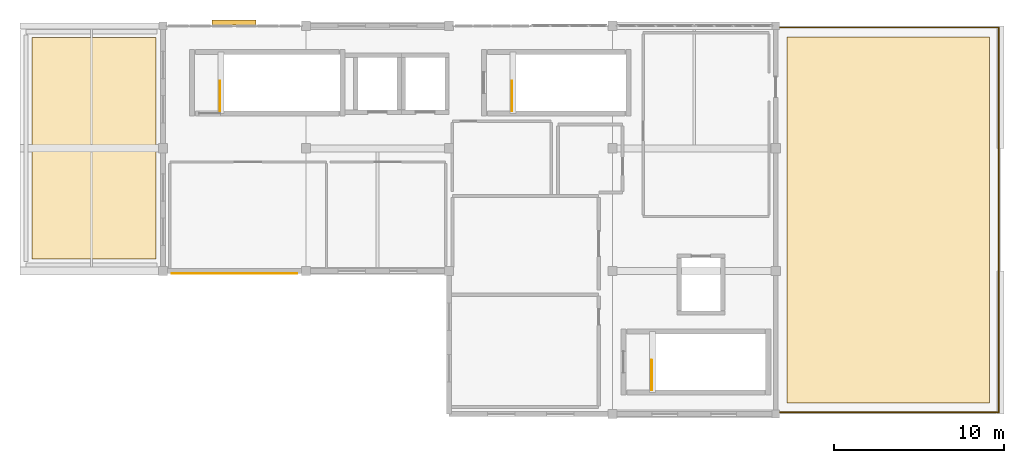
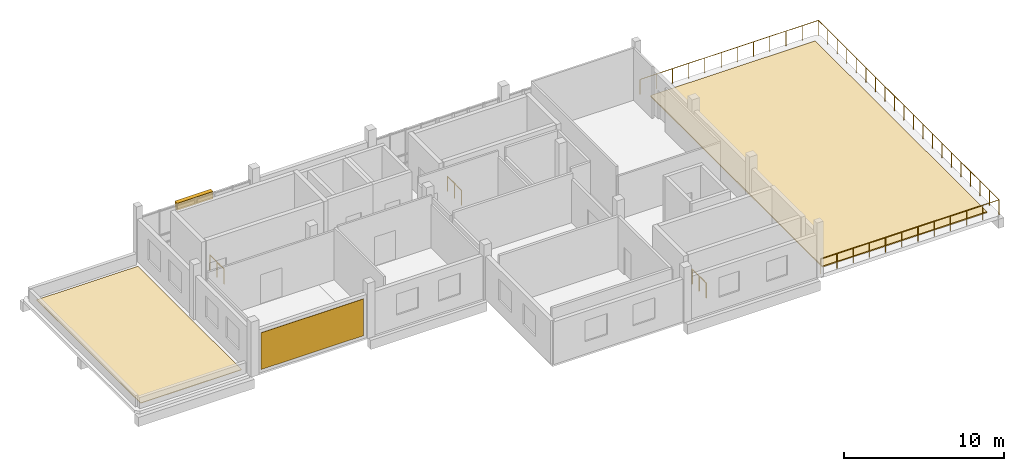
# One storey, part 11 of 11: 4 railings, 3 coverings, 1 shading device.
"""IFC4 building model written with IfcOpenShell, lengths in metres."""

from ifc_helpers import new_model, si_unit, direction, frame, origin, origin_2d, place, context, subcontext, project, spatial, polyline, rectangle, circle, outline, extrude, material, layer, layer_set, type_object, element, save


model = new_model("IFC4")

# Units and contexts
model_context = context("Model", 3, precision=1e-05, world=origin(), true_north=direction((0.0, 1.0)))
body_context = subcontext(model_context, "Body", "Model", "MODEL_VIEW")
ifc_project = project(units=[si_unit("LENGTHUNIT", "METRE"), si_unit("AREAUNIT", "SQUARE_METRE"), si_unit("VOLUMEUNIT", "CUBIC_METRE"), si_unit("PLANEANGLEUNIT", "RADIAN"), si_unit("MASSUNIT", "GRAM", prefix="KILO")], contexts=[model_context])

# Site, building, storey
site_placement = place(None, origin())
site = spatial("IfcSite", under=ifc_project, at=site_placement, CompositionType="ELEMENT")
building_placement = place(site_placement, origin())
building = spatial("IfcBuilding", under=site, at=building_placement, Name="Kisaragi Civic Commons", CompositionType="ELEMENT")
storey_placement = place(building_placement, frame((0.0, 0.0, 17.39990234375)))
storey = spatial("IfcBuildingStorey", under=building, at=storey_placement, Name="L04", CompositionType="ELEMENT", Elevation=17.39990234375)

# Covering
ifc_material_1 = material(Name="Extruded Tokoname terracotta rainscreen tile", Category="masonry")
ifc_layer_1 = layer(ifc_material_1, 0.031982421875, Name="Extruded Tokoname terracotta rainscreen tile", Category="masonry")
ifc_layer_set_1 = layer_set([ifc_layer_1], Name="Extruded Tokoname terracotta rainscreen tile")
covering_type_1 = type_object("IfcCoveringType", Name="CLD-02", PredefinedType="CLADDING", material=ifc_layer_set_1)
covering_1_placement = place(storey_placement, frame((101.39990234375, 104.2470703125, 0.25), z_axis=(0.0, 0.0, 1.0), x_axis=(-1.0, 0.0, 0.0)))
element("IfcCovering", 1, at=covering_1_placement, inside=storey, type_object=covering_type_1, Name="V4 L04 terracotta facade cladding 10", PredefinedType="CLADDING", context=body_context, shape_type="SweptSolid", body=[
    extrude(rectangle(XDim=7.39990234375, YDim=0.031982421875, at=origin_2d()), origin(), (0.0, 0.0, 1.0), 2.804931640625),
])

# Railings
ifc_material_2 = material(Name="Hot-dip galvanized and fluoropolymer-coated steel", Category="steel")
railing_type_1 = type_object("IfcRailingType", Name="GRD-E1", PredefinedType="GUARDRAIL", material=ifc_material_2)
railing_placement = place(storey_placement, frame((133.419921875, 118.699951171875, 0.0)))
element("IfcRailing", 2, at=railing_placement, inside=storey, type_object=railing_type_1, Name="V4 L04 terrace guardrail 14", PredefinedType="GUARDRAIL", context=body_context, shape_type="SweptSolid", body=[
    extrude(circle(Radius=0.02392578125, at=origin_2d()), frame((0.0, 0.0, 1.1259765625), z_axis=(1.0, 0.0, 0.0), x_axis=(0.0, 1.0, 0.0)), (0.0, 0.0, 1.0), 12.880126953125),
    extrude(circle(Radius=0.02392578125, at=origin_2d()), frame((12.880126953125, 0.0, 1.1259765625), z_axis=(0.0, -1.0, 0.0), x_axis=(1.0, 0.0, 0.0)), (0.0, 0.0, 1.0), 22.599853515625),
    extrude(circle(Radius=0.02392578125, at=origin_2d()), frame((12.880126953125, -22.599853515625, 1.1259765625), z_axis=(-1.0, 0.0, 0.0), x_axis=(0.0, -1.0, 0.0)), (0.0, 0.0, 1.0), 12.880126953125),
    extrude(circle(Radius=0.02099609375, at=origin_2d()), origin(), (0.0, 0.0, 1.0), 1.101806640625),
    extrude(circle(Radius=0.02099609375, at=origin_2d()), frame((1.1708984375, 0.0, 0.0)), (0.0, 0.0, 1.0), 1.101806640625),
    extrude(circle(Radius=0.02099609375, at=origin_2d()), frame((2.341796875, 0.0, 0.0)), (0.0, 0.0, 1.0), 1.101806640625),
    extrude(circle(Radius=0.02099609375, at=origin_2d()), frame((3.5126953125, 0.0, 0.0)), (0.0, 0.0, 1.0), 1.101806640625),
    extrude(circle(Radius=0.02099609375, at=origin_2d()), frame((4.68359375, 0.0, 0.0)), (0.0, 0.0, 1.0), 1.101806640625),
    extrude(circle(Radius=0.02099609375, at=origin_2d()), frame((5.8544921875, 0.0, 0.0)), (0.0, 0.0, 1.0), 1.101806640625),
    extrude(circle(Radius=0.02099609375, at=origin_2d()), frame((7.025634765625, 0.0, 0.0)), (0.0, 0.0, 1.0), 1.101806640625),
    extrude(circle(Radius=0.02099609375, at=origin_2d()), frame((8.196533203125, 0.0, 0.0)), (0.0, 0.0, 1.0), 1.101806640625),
    extrude(circle(Radius=0.02099609375, at=origin_2d()), frame((9.367431640625, 0.0, 0.0)), (0.0, 0.0, 1.0), 1.101806640625),
    extrude(circle(Radius=0.02099609375, at=origin_2d()), frame((10.538330078125, 0.0, 0.0)), (0.0, 0.0, 1.0), 1.101806640625),
    extrude(circle(Radius=0.02099609375, at=origin_2d()), frame((11.709228515625, 0.0, 0.0)), (0.0, 0.0, 1.0), 1.101806640625),
    extrude(circle(Radius=0.02099609375, at=origin_2d()), frame((12.880126953125, 0.0, 0.0)), (0.0, 0.0, 1.0), 1.101806640625),
    extrude(circle(Radius=0.02099609375, at=origin_2d()), frame((12.880126953125, -1.189453125, 0.0)), (0.0, 0.0, 1.0), 1.101806640625),
    extrude(circle(Radius=0.02099609375, at=origin_2d()), frame((12.880126953125, -2.37890625, 0.0)), (0.0, 0.0, 1.0), 1.101806640625),
    extrude(circle(Radius=0.02099609375, at=origin_2d()), frame((12.880126953125, -3.568359375, 0.0)), (0.0, 0.0, 1.0), 1.101806640625),
    extrude(circle(Radius=0.02099609375, at=origin_2d()), frame((12.880126953125, -4.7578125, 0.0)), (0.0, 0.0, 1.0), 1.101806640625),
    extrude(circle(Radius=0.02099609375, at=origin_2d()), frame((12.880126953125, -5.947265625, 0.0)), (0.0, 0.0, 1.0), 1.101806640625),
    extrude(circle(Radius=0.02099609375, at=origin_2d()), frame((12.880126953125, -7.13671875, 0.0)), (0.0, 0.0, 1.0), 1.101806640625),
    extrude(circle(Radius=0.02099609375, at=origin_2d()), frame((12.880126953125, -8.326171875, 0.0)), (0.0, 0.0, 1.0), 1.101806640625),
    extrude(circle(Radius=0.02099609375, at=origin_2d()), frame((12.880126953125, -9.515625, 0.0)), (0.0, 0.0, 1.0), 1.101806640625),
    extrude(circle(Radius=0.02099609375, at=origin_2d()), frame((12.880126953125, -10.705078125, 0.0)), (0.0, 0.0, 1.0), 1.101806640625),
    extrude(circle(Radius=0.02099609375, at=origin_2d()), frame((12.880126953125, -11.894775390625, 0.0)), (0.0, 0.0, 1.0), 1.101806640625),
    extrude(circle(Radius=0.02099609375, at=origin_2d()), frame((12.880126953125, -13.084228515625, 0.0)), (0.0, 0.0, 1.0), 1.101806640625),
    extrude(circle(Radius=0.02099609375, at=origin_2d()), frame((12.880126953125, -14.273681640625, 0.0)), (0.0, 0.0, 1.0), 1.101806640625),
    extrude(circle(Radius=0.02099609375, at=origin_2d()), frame((12.880126953125, -15.463134765625, 0.0)), (0.0, 0.0, 1.0), 1.101806640625),
    extrude(circle(Radius=0.02099609375, at=origin_2d()), frame((12.880126953125, -16.652587890625, 0.0)), (0.0, 0.0, 1.0), 1.101806640625),
    extrude(circle(Radius=0.02099609375, at=origin_2d()), frame((12.880126953125, -17.842041015625, 0.0)), (0.0, 0.0, 1.0), 1.101806640625),
    extrude(circle(Radius=0.02099609375, at=origin_2d()), frame((12.880126953125, -19.031494140625, 0.0)), (0.0, 0.0, 1.0), 1.101806640625),
    extrude(circle(Radius=0.02099609375, at=origin_2d()), frame((12.880126953125, -20.220947265625, 0.0)), (0.0, 0.0, 1.0), 1.101806640625),
    extrude(circle(Radius=0.02099609375, at=origin_2d()), frame((12.880126953125, -21.410400390625, 0.0)), (0.0, 0.0, 1.0), 1.101806640625),
    extrude(circle(Radius=0.02099609375, at=origin_2d()), frame((12.880126953125, -22.599853515625, 0.0)), (0.0, 0.0, 1.0), 1.101806640625),
    extrude(circle(Radius=0.02099609375, at=origin_2d()), frame((11.709228515625, -22.599853515625, 0.0)), (0.0, 0.0, 1.0), 1.101806640625),
    extrude(circle(Radius=0.02099609375, at=origin_2d()), frame((10.538330078125, -22.599853515625, 0.0)), (0.0, 0.0, 1.0), 1.101806640625),
    extrude(circle(Radius=0.02099609375, at=origin_2d()), frame((9.367431640625, -22.599853515625, 0.0)), (0.0, 0.0, 1.0), 1.101806640625),
    extrude(circle(Radius=0.02099609375, at=origin_2d()), frame((8.196533203125, -22.599853515625, 0.0)), (0.0, 0.0, 1.0), 1.101806640625),
    extrude(circle(Radius=0.02099609375, at=origin_2d()), frame((7.025634765625, -22.599853515625, 0.0)), (0.0, 0.0, 1.0), 1.101806640625),
    extrude(circle(Radius=0.02099609375, at=origin_2d()), frame((5.8544921875, -22.599853515625, 0.0)), (0.0, 0.0, 1.0), 1.101806640625),
    extrude(circle(Radius=0.02099609375, at=origin_2d()), frame((4.68359375, -22.599853515625, 0.0)), (0.0, 0.0, 1.0), 1.101806640625),
    extrude(circle(Radius=0.02099609375, at=origin_2d()), frame((3.5126953125, -22.599853515625, 0.0)), (0.0, 0.0, 1.0), 1.101806640625),
    extrude(circle(Radius=0.02099609375, at=origin_2d()), frame((2.341796875, -22.599853515625, 0.0)), (0.0, 0.0, 1.0), 1.101806640625),
    extrude(circle(Radius=0.02099609375, at=origin_2d()), frame((1.1708984375, -22.599853515625, 0.0)), (0.0, 0.0, 1.0), 1.101806640625),
    extrude(circle(Radius=0.02099609375, at=origin_2d()), frame((0.0, -22.599853515625, 0.0)), (0.0, 0.0, 1.0), 1.101806640625),
])
ifc_material_3 = material(Name="Powder-coated architectural steel and hinoki cap rail", Category="steel")
railing_type_2 = type_object("IfcRailingType", Name="GRD-S1", PredefinedType="GUARDRAIL", material=ifc_material_3)
for number, where, name in (
    (3, (100.550048828125, 113.800048828125, 0.0), "L04 ST-L1 top well guard 1"),
    (4, (117.699951171875, 113.800048828125, 0.0), "L04 ST-L2 top well guard 1"),
    (5, (125.89990234375, 97.39990234375, 0.0), "L04 ST-L3 top well guard 1"),
):
    element("IfcRailing", number, at=place(storey_placement, frame(where)), inside=storey, type_object=railing_type_2, Name=name, PredefinedType="GUARDRAIL", context=body_context, shape_type="SweptSolid", body=[
        extrude(circle(Radius=0.02392578125, at=origin_2d()), frame((0.0, 0.0, 1.1259765625), z_axis=(0.0, 1.0, 0.0), x_axis=(-1.0, 0.0, 0.0)), (0.0, 0.0, 1.0), 1.75),
        extrude(circle(Radius=0.02099609375, at=origin_2d()), origin(), (0.0, 0.0, 1.0), 1.101806640625),
        extrude(circle(Radius=0.02099609375, at=origin_2d()), frame((0.0, 0.875, 0.0)), (0.0, 0.0, 1.0), 1.101806640625),
        extrude(circle(Radius=0.02099609375, at=origin_2d()), frame((0.0, 1.75, 0.0)), (0.0, 0.0, 1.0), 1.101806640625),
    ])

# Coverings
ifc_material_4 = material(Name="Patinated copper-zinc standing-seam roofing")
ifc_layer_2 = layer(ifc_material_4, 0.044921875, Name="Patinated copper-zinc standing-seam roofing")
ifc_layer_set_2 = layer_set([ifc_layer_2], Name="Patinated copper-zinc standing-seam roofing")
covering_type_2 = type_object("IfcCoveringType", Name="RFG-01", PredefinedType="ROOFING", material=ifc_layer_set_2)
covering_2_placement = place(storey_placement, origin())
element("IfcCovering", 6, at=covering_2_placement, inside=storey, type_object=covering_type_2, Name="Learning Wing L04 setback standing-seam roof covering", PredefinedType="ROOFING", context=body_context, shape_type="SweptSolid", body=[
    extrude(outline(polyline([(89.5, 105.10009765625), (96.800048828125, 105.10009765625), (96.800048828125, 118.10009765625), (89.5, 118.10009765625), (89.5, 105.10009765625)])), origin(), (0.0, 0.0, 1.0), 0.045166015625),
])
ifc_material_5 = material(Name="Extensive sedum planted roof assembly")
ifc_layer_3 = layer(ifc_material_5, 0.0849609375, Name="Extensive sedum planted roof assembly")
ifc_layer_set_3 = layer_set([ifc_layer_3], Name="Extensive sedum planted roof assembly")
covering_type_3 = type_object("IfcCoveringType", Name="RFG-02", PredefinedType="ROOFING", material=ifc_layer_set_3)
covering_3_placement = place(storey_placement, origin())
element("IfcCovering", 7, at=covering_3_placement, inside=storey, type_object=covering_type_3, Name="V4 L04 planted terrace sedum covering", PredefinedType="ROOFING", context=body_context, shape_type="SweptSolid", body=[
    extrude(outline(polyline([(133.85009765625, 96.64990234375), (133.85009765625, 118.14990234375), (145.75, 118.14990234375), (145.75, 96.64990234375), (133.85009765625, 96.64990234375)])), origin(), (0.0, 0.0, 1.0), 0.085205078125),
])

# Shading device
ifc_material_6 = material(Name="Extruded Tokoname terracotta sun-louvre blade", Category="masonry")
ifc_layer_4 = layer(ifc_material_6, 0.550048828125, Name="Extruded Tokoname terracotta sun-louvre blade", Category="masonry")
ifc_layer_set_4 = layer_set([ifc_layer_4], Name="Extruded Tokoname terracotta sun-louvre blade")
shading_device_type = type_object("IfcShadingDeviceType", Name="SHD-02", PredefinedType="JALOUSIE", material=ifc_layer_set_4)
shading_device_placement = place(storey_placement, frame((101.375, 118.989990234375, 2.705078125), z_axis=(0.0, 0.0, 1.0), x_axis=(1.0, 0.0, 0.0)))
element("IfcShadingDevice", 8, at=shading_device_placement, inside=storey, type_object=shading_device_type, Name="V4 L04 terracotta sun-louvre 16", PredefinedType="JALOUSIE", context=body_context, shape_type="SweptSolid", body=[
    extrude(rectangle(XDim=2.60009765625, YDim=0.300048828125, at=origin_2d()), origin(), (0.0, 0.0, 1.0), 0.550048828125),
])

save(model, "model.ifc")
